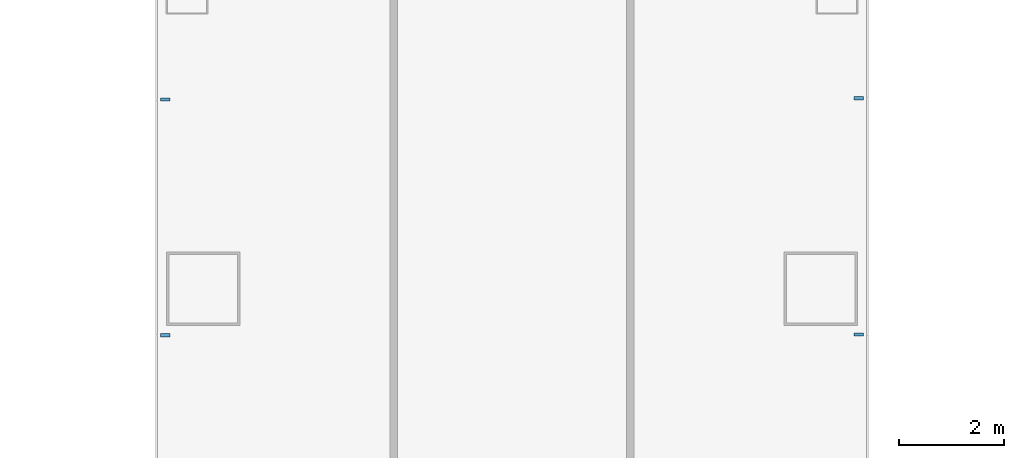
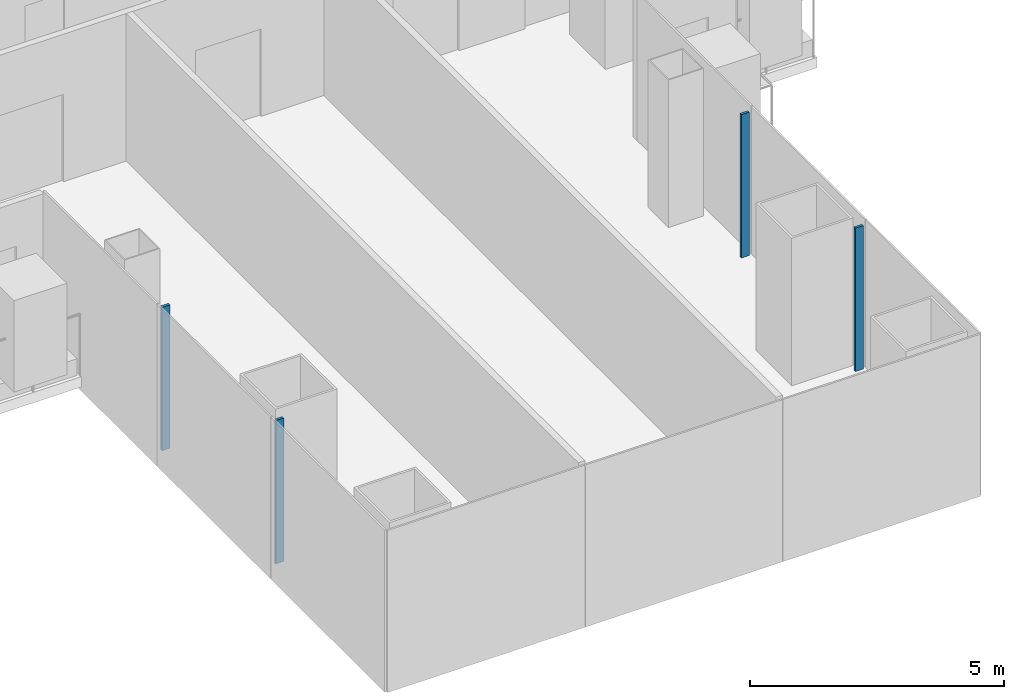
# One storey, part 3 of 21: 4 members, 2 elements without a shape of their own.
"""IFC4 building model written with IfcOpenShell, lengths in metres."""

from ifc_helpers import new_model, si_unit, direction, frame, origin, origin_2d, place, context, subcontext, project, spatial, rectangle, extrude, material, layer, layer_set, material_profile, profile_set, type_object, element, aggregate, save


model = new_model("IFC4")

# Units and contexts
model_context = context("Model", 3, precision=1e-05, world=origin(), true_north=direction((0.0, 1.0)))
body_context = subcontext(model_context, "Body", "Model", "MODEL_VIEW")
ifc_project = project(units=[si_unit("LENGTHUNIT", "METRE"), si_unit("AREAUNIT", "SQUARE_METRE"), si_unit("VOLUMEUNIT", "CUBIC_METRE"), si_unit("PLANEANGLEUNIT", "RADIAN"), si_unit("MASSUNIT", "GRAM", prefix="KILO")], contexts=[model_context])

# Site, building, storey
site_placement = place(None, origin())
site = spatial("IfcSite", under=ifc_project, at=site_placement, CompositionType="ELEMENT")
building_placement = place(site_placement, origin())
building = spatial("IfcBuilding", under=site, at=building_placement, Name="Shamsa Quay Exchange Towers", CompositionType="ELEMENT")
storey_placement = place(building_placement, frame((0.0, 0.0, 45.89990234375)))
storey = spatial("IfcBuildingStorey", under=building, at=storey_placement, Name="L09", CompositionType="ELEMENT", Elevation=45.89990234375)

# Curtain wall, members
ifc_material = material(Name="Aluminium EN AW-6063 T6, black anodised", Category="aluminium")
ifc_layer = layer(ifc_material, 0.280029296875)
ifc_layer_set = layer_set([ifc_layer], Name="CW-1 UNITISED VISION GLASS")
curtain_wall_type = type_object("IfcCurtainWallType", Name="CW-1 UNITISED VISION GLASS", PredefinedType="NOTDEFINED", material=ifc_layer_set)
curtain_wall_1_placement = place(storey_placement, origin())
curtain_wall_1 = element("IfcCurtainWall", 1, at=curtain_wall_1_placement, inside=storey, type_object=curtain_wall_type, Name="CW1 T1-FLK-V-W L09", PredefinedType="NOTDEFINED")
ifc_material_profile = material_profile(ifc_material, rectangle(XDim=0.179931640625, YDim=0.06005859375, at=origin_2d()), Name="MU60x180")
ifc_profile_set = profile_set([ifc_material_profile], Name="Aluminium EN AW-6063 T6, black anodised")
member_type = type_object("IfcMemberType", Name="CW1 MULLION 60x180", PredefinedType="MULLION", material=ifc_profile_set)
member_1_placement = place(storey_placement, frame((-40.35009765625, -15.775390625, 0.0)))
member_1 = element("IfcMember", 2, at=member_1_placement, type_object=member_type, Name="CW1 mullion", PredefinedType="MULLION", context=body_context, shape_type="SweptSolid", body=[
    extrude(rectangle(XDim=0.179931640625, YDim=0.06005859375, at=origin_2d()), origin(), (0.0, 0.0, 1.0), 3.4501953125),
])
member_2_placement = place(storey_placement, frame((-40.35009765625, -20.2626953125, 0.0)))
member_2 = element("IfcMember", 3, at=member_2_placement, type_object=member_type, Name="CW1 mullion", PredefinedType="MULLION", context=body_context, shape_type="SweptSolid", body=[
    extrude(rectangle(XDim=0.179931640625, YDim=0.06005859375, at=origin_2d()), origin(), (0.0, 0.0, 1.0), 3.4501953125),
])
aggregate(curtain_wall_1, [member_1, member_2])

curtain_wall_2_placement = place(storey_placement, origin())
curtain_wall_2 = element("IfcCurtainWall", 4, at=curtain_wall_2_placement, inside=storey, type_object=curtain_wall_type, Name="CW1 T1-FLK-V-E L09", PredefinedType="NOTDEFINED")
member_3_placement = place(storey_placement, frame((-27.14990234375, -20.25, 0.0), z_axis=(0.0, 0.0, 1.0), x_axis=(-1.0, 0.0, 0.0)))
member_3 = element("IfcMember", 5, at=member_3_placement, type_object=member_type, Name="CW1 mullion", PredefinedType="MULLION", context=body_context, shape_type="SweptSolid", body=[
    extrude(rectangle(XDim=0.179931640625, YDim=0.06005859375, at=origin_2d()), origin(), (0.0, 0.0, 1.0), 3.4501953125),
])
member_4_placement = place(storey_placement, frame((-27.14990234375, -15.75, 0.0), z_axis=(0.0, 0.0, 1.0), x_axis=(-1.0, 0.0, 0.0)))
member_4 = element("IfcMember", 6, at=member_4_placement, type_object=member_type, Name="CW1 mullion", PredefinedType="MULLION", context=body_context, shape_type="SweptSolid", body=[
    extrude(rectangle(XDim=0.179931640625, YDim=0.06005859375, at=origin_2d()), origin(), (0.0, 0.0, 1.0), 3.4501953125),
])
aggregate(curtain_wall_2, [member_3, member_4])

save(model, "model.ifc")
